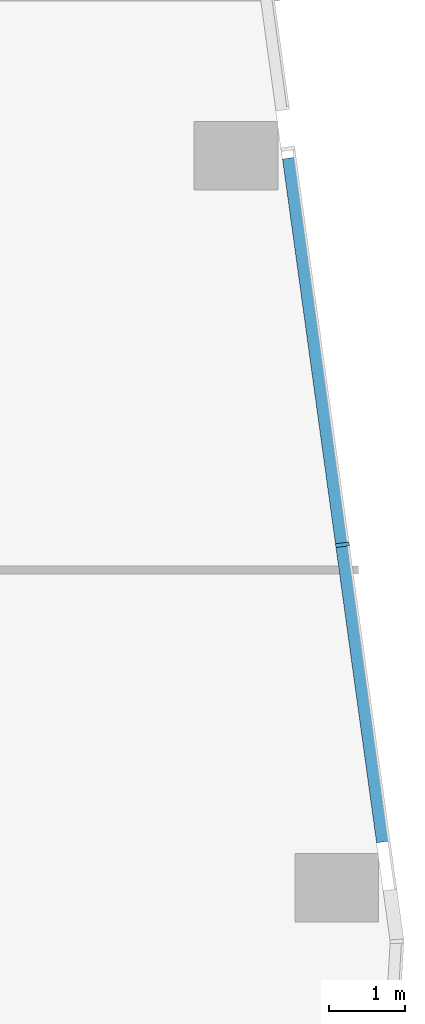
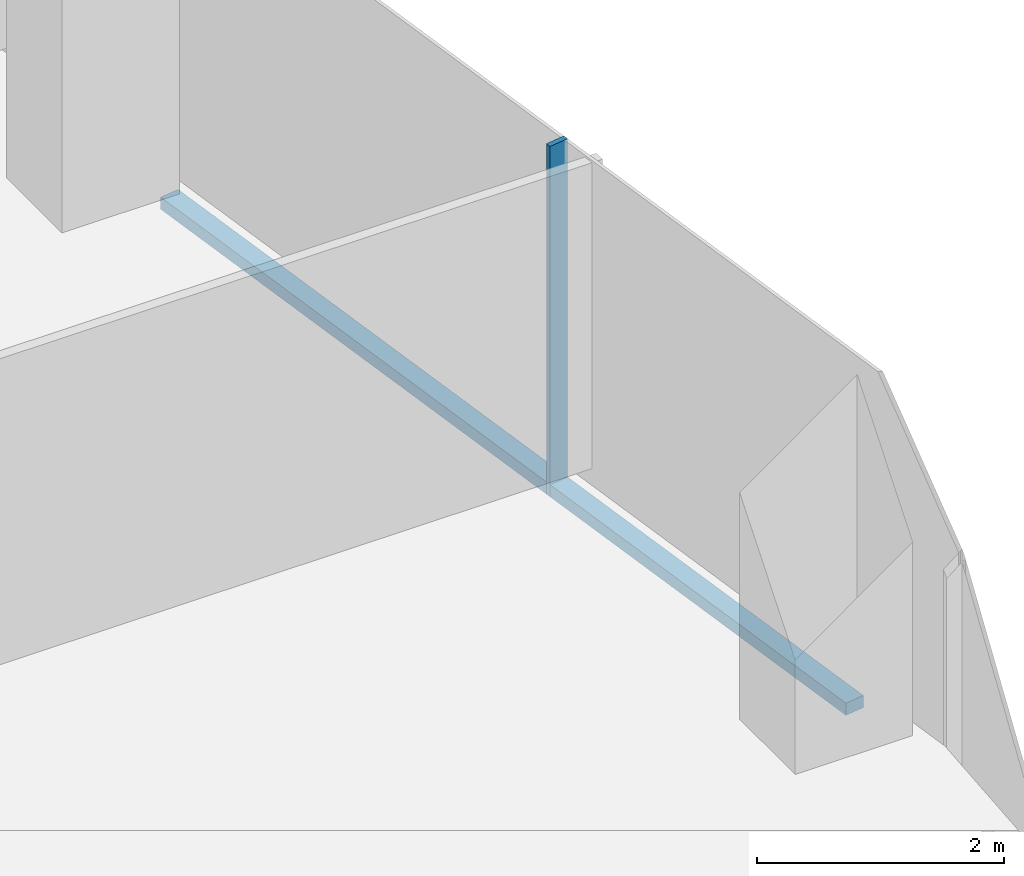
# One storey, part 8 of 27: 2 members, 1 element without a shape of its own.
"""IFC4 building model written with IfcOpenShell, lengths in metres."""

from ifc_helpers import new_model, si_unit, direction, frame, origin, origin_2d, place, context, subcontext, project, spatial, rectangle, extrude, material, material_profile, profile_set, type_object, element, aggregate, save


model = new_model("IFC4")

# Units and contexts
model_context = context("Model", 3, precision=1e-05, world=origin(), true_north=direction((0.0, 1.0)))
body_context = subcontext(model_context, "Body", "Model", "MODEL_VIEW")
ifc_project = project(units=[si_unit("LENGTHUNIT", "METRE"), si_unit("AREAUNIT", "SQUARE_METRE"), si_unit("VOLUMEUNIT", "CUBIC_METRE"), si_unit("PLANEANGLEUNIT", "RADIAN"), si_unit("MASSUNIT", "GRAM", prefix="KILO")], contexts=[model_context])

# Site, building, storey
site_placement = place(None, origin())
site = spatial("IfcSite", under=ifc_project, at=site_placement, CompositionType="ELEMENT")
building_placement = place(site_placement, origin())
building = spatial("IfcBuilding", under=site, at=building_placement, Name="Orlundy Tower", CompositionType="ELEMENT")
storey_placement = place(building_placement, frame((0.0, 0.0, 199.10009765625)))
storey = spatial("IfcBuildingStorey", under=building, at=storey_placement, Name="L52", CompositionType="ELEMENT", Elevation=199.10009765625)

# Curtain wall, members
ifc_material_1 = material(Name="Aluminium bronze anodised", Category="aluminium")
curtain_wall_type = type_object("IfcCurtainWallType", Name="CW1 wall", PredefinedType="NOTDEFINED", material=ifc_material_1)
curtain_wall_placement = place(storey_placement, origin())
curtain_wall = element("IfcCurtainWall", 1, at=curtain_wall_placement, inside=storey, type_object=curtain_wall_type, Name="CW1 run 011", PredefinedType="NOTDEFINED")
ifc_material_2 = material(Name="Aluminium bronze anodised", Category="aluminium")
ifc_material_profile_1 = material_profile(ifc_material_2, rectangle(XDim=0.179931640625, YDim=0.050048828125, at=origin_2d()), Name="CW1 mullion 50x180")
ifc_profile_set_1 = profile_set([ifc_material_profile_1], Name="Aluminium bronze anodised")
member_type_1 = type_object("IfcMemberType", Name="CW1 mullion 50x180", PredefinedType="MULLION", material=ifc_profile_set_1)
member_1_placement = place(storey_placement, frame((40.9267578125, 0.331298828125, -0.420166015625), z_axis=(0.0, 0.0, 1.0), x_axis=(0.990669519619, 0.13628610677, 0.0)))
member_1 = element("IfcMember", 2, at=member_1_placement, type_object=member_type_1, Name="CW1 mullion 35", PredefinedType="MULLION", context=body_context, shape_type="SweptSolid", body=[
    extrude(rectangle(XDim=0.179931640625, YDim=0.050048828125, at=origin_2d()), origin(), (0.0, 0.0, 1.0), 3.469970703125),
])
ifc_material_3 = material(Name="Aluminium bronze anodised", Category="aluminium")
ifc_material_profile_2 = material_profile(ifc_material_3, rectangle(XDim=0.179931640625, YDim=0.1201171875, at=origin_2d()), Name="CW1 transom 180x120")
ifc_profile_set_2 = profile_set([ifc_material_profile_2], Name="Aluminium bronze anodised")
member_type_2 = type_object("IfcMemberType", Name="CW1 transom 180x120", PredefinedType="USERDEFINED", material=ifc_profile_set_2)
member_2_placement = place(storey_placement, frame((40.22802734375, 5.409912109375, -0.360107421875), z_axis=(0.136269219908, -0.990671842593, 0.0), x_axis=(0.990671842593, 0.136269219908, 0.0)))
member_2 = element("IfcMember", 3, at=member_2_placement, type_object=member_type_2, Name="CW1 transom", ObjectType="TRANSOM", PredefinedType="USERDEFINED", context=body_context, shape_type="SweptSolid", body=[
    extrude(rectangle(XDim=0.179931640625, YDim=0.1201171875, at=origin_2d()), origin(), (0.0, 0.0, 1.0), 9.0654296875),
])
aggregate(curtain_wall, [member_1, member_2])

save(model, "model.ifc")
